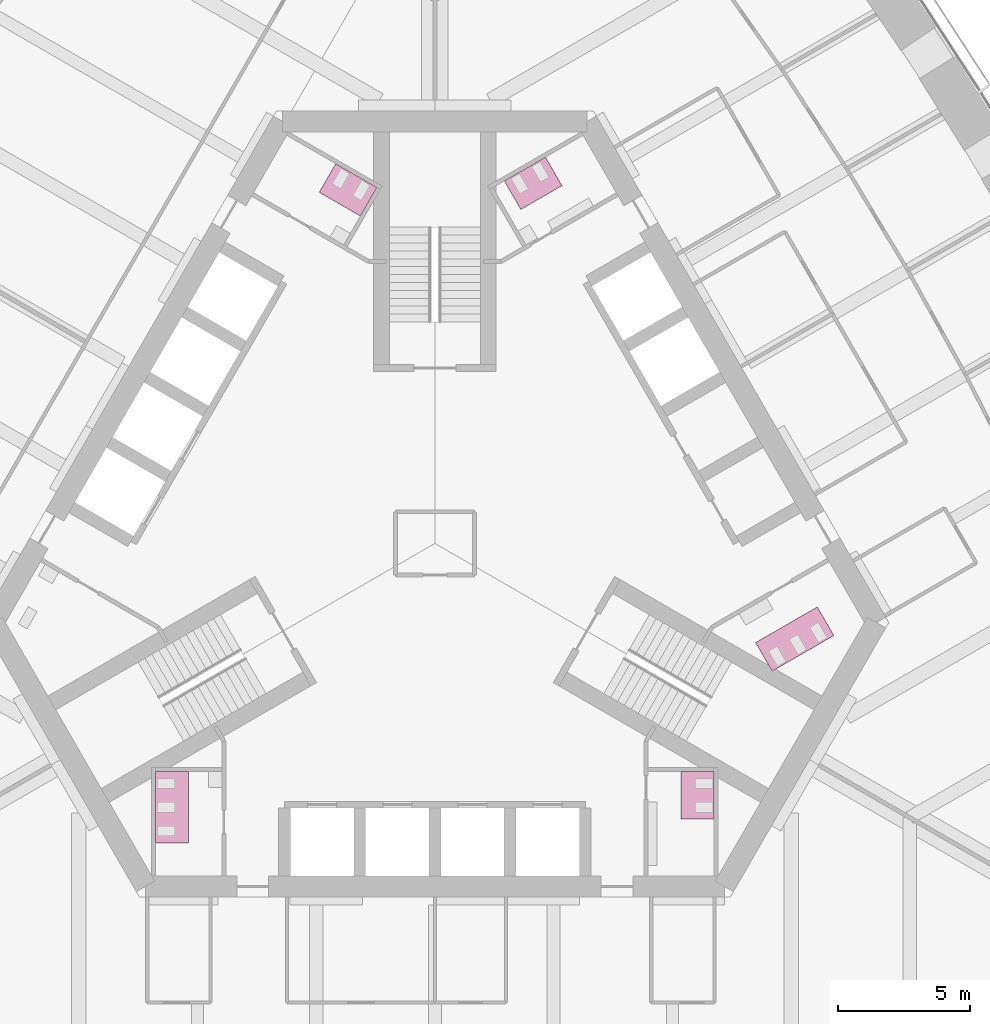
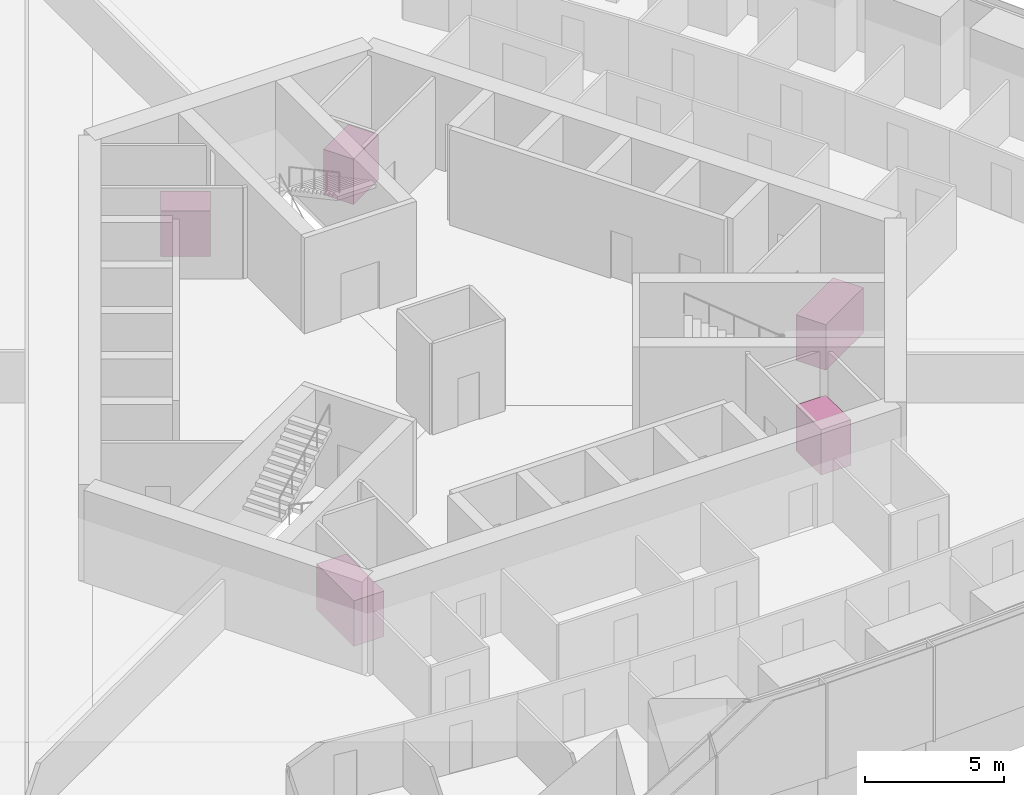
# One storey, part 20 of 20: 5 furniture elements.
"""IFC4 building model written with IfcOpenShell, lengths in metres."""

from ifc_helpers import new_model, si_unit, direction, frame, origin, place, context, subcontext, project, spatial, polyline, outline, extrude, material, type_object, element, save


model = new_model("IFC4")

# Units and contexts
model_context = context("Model", 3, precision=1e-05, world=origin(), true_north=direction((0.0, 1.0)))
body_context = subcontext(model_context, "Body", "Model", "MODEL_VIEW")
ifc_project = project(units=[si_unit("LENGTHUNIT", "METRE"), si_unit("AREAUNIT", "SQUARE_METRE"), si_unit("VOLUMEUNIT", "CUBIC_METRE"), si_unit("PLANEANGLEUNIT", "RADIAN"), si_unit("MASSUNIT", "GRAM", prefix="KILO")], contexts=[model_context])

# Site, building, storey
site_placement = place(None, origin())
site = spatial("IfcSite", under=ifc_project, at=site_placement, CompositionType="ELEMENT")
building_placement = place(site_placement, origin())
building = spatial("IfcBuilding", under=site, at=building_placement, Name="Trefoil Bronze Tower", CompositionType="ELEMENT")
storey_placement = place(building_placement, frame((0.0, 0.0, 103.10009765625)))
storey = spatial("IfcBuildingStorey", under=building, at=storey_placement, Name="L23", CompositionType="ELEMENT", Elevation=103.10009765625)

# Furniture
ifc_material_1 = material(Name="Compact laminate cubicles", Category="plastic")
furniture_type_1 = type_object("IfcFurnitureType", Name="WC cubicle range 2 cubicles", AssemblyPlace="FACTORY", PredefinedType="USERDEFINED", material=ifc_material_1)
furniture_1_placement = place(storey_placement, origin())
element("IfcFurniture", 1, at=furniture_1_placement, inside=storey, type_object=furniture_type_1, Name="WC cubicle range WC (men) L23", ObjectType="WC cubicle range", PredefinedType="USERDEFINED", context=body_context, shape_type="SweptSolid", body=[
    extrude(outline(polyline([(9.3349609375, -8.64990234375), (10.5849609375, -8.64990234375), (10.5849609375, -10.449951171875), (9.3349609375, -10.449951171875), (9.3349609375, -8.64990234375)])), origin(), (0.0, 0.0, 1.0), 2.0),
])
furniture_2_placement = place(storey_placement, origin())
element("IfcFurniture", 2, at=furniture_2_placement, inside=storey, type_object=furniture_type_1, Name="WC cubicle range WC (men) L23", ObjectType="WC cubicle range", PredefinedType="USERDEFINED", context=body_context, shape_type="SweptSolid", body=[
    extrude(outline(polyline([(3.256591796875, 12.659423828125), (2.631591796875, 13.741943359375), (4.1904296875, 14.641845703125), (4.8154296875, 13.559326171875), (3.256591796875, 12.659423828125)])), origin(), (0.0, 0.0, 1.0), 2.0),
])
furniture_3_placement = place(storey_placement, origin())
element("IfcFurniture", 3, at=furniture_3_placement, inside=storey, type_object=furniture_type_1, Name="WC cubicle range WC (women) L23", ObjectType="WC cubicle range", PredefinedType="USERDEFINED", context=body_context, shape_type="SweptSolid", body=[
    extrude(outline(polyline([(-2.82373046875, 12.409423828125), (-2.19873046875, 13.491943359375), (-3.757568359375, 14.391845703125), (-4.382568359375, 13.309326171875), (-2.82373046875, 12.409423828125)])), origin(), (0.0, 0.0, 1.0), 2.0),
])
ifc_material_2 = material(Name="Compact laminate cubicles", Category="plastic")
furniture_type_2 = type_object("IfcFurnitureType", Name="WC cubicle range 3 cubicles", AssemblyPlace="FACTORY", PredefinedType="USERDEFINED", material=ifc_material_2)
furniture_4_placement = place(storey_placement, origin())
element("IfcFurniture", 4, at=furniture_4_placement, inside=storey, type_object=furniture_type_2, Name="WC cubicle range WC (women) L23", ObjectType="WC cubicle range", PredefinedType="USERDEFINED", context=body_context, shape_type="SweptSolid", body=[
    extrude(outline(polyline([(12.15869140625, -3.75927734375), (12.78369140625, -4.841796875), (15.121826171875, -3.491943359375), (14.496826171875, -2.409423828125), (12.15869140625, -3.75927734375)])), origin(), (0.0, 0.0, 1.0), 2.0),
])
furniture_5_placement = place(storey_placement, origin())
element("IfcFurniture", 5, at=furniture_5_placement, inside=storey, type_object=furniture_type_2, Name="WC cubicle range WC (women) L23", ObjectType="WC cubicle range", PredefinedType="USERDEFINED", context=body_context, shape_type="SweptSolid", body=[
    extrude(outline(polyline([(-9.3349609375, -8.64990234375), (-10.5849609375, -8.64990234375), (-10.5849609375, -11.35009765625), (-9.3349609375, -11.35009765625), (-9.3349609375, -8.64990234375)])), origin(), (0.0, 0.0, 1.0), 2.0),
])

save(model, "model.ifc")
